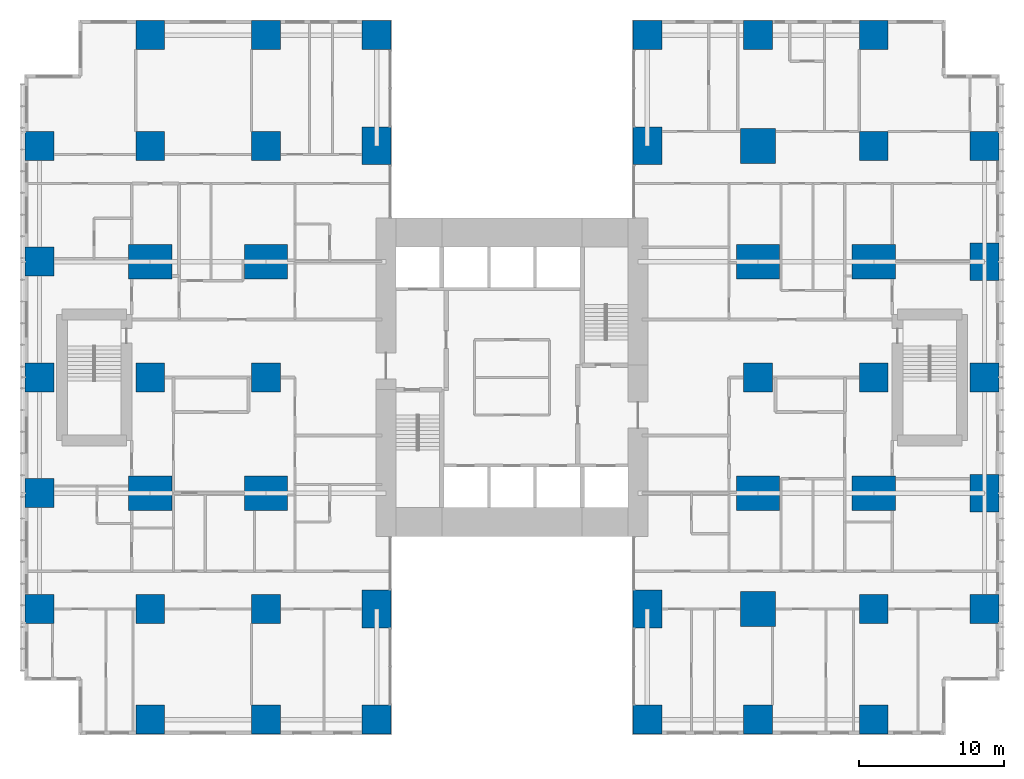
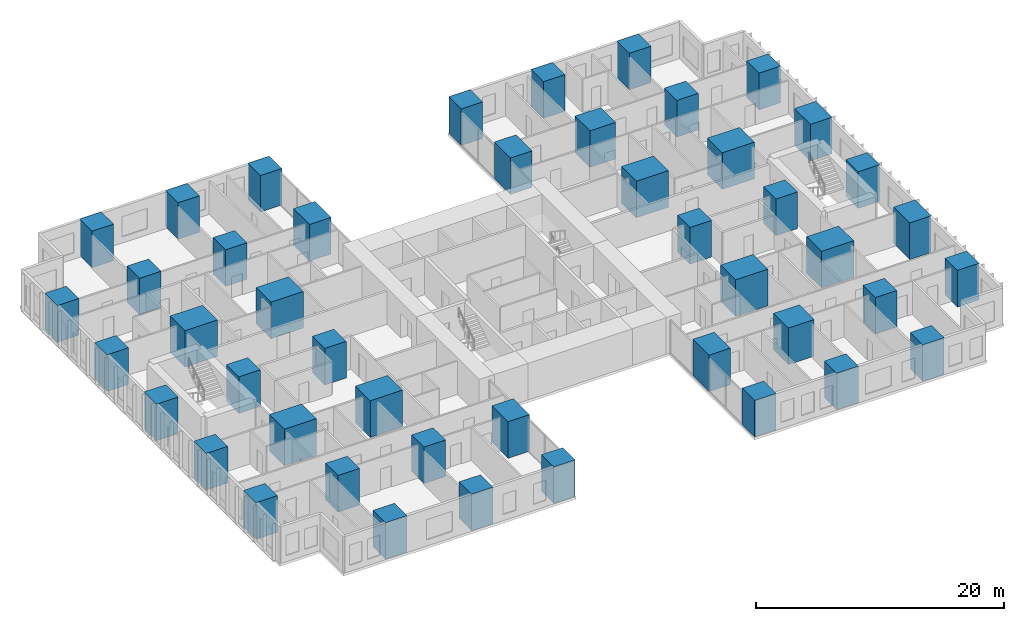
# One storey, part 1 of 20: 46 columns.
"""IFC4 building model written with IfcOpenShell, lengths in metres."""

from ifc_helpers import new_model, si_unit, direction, frame, origin, origin_2d, place, context, subcontext, project, spatial, rectangle, extrude, material, material_profile, profile_set, type_object, element, save


model = new_model("IFC4")

# Units and contexts
model_context = context("Model", 3, precision=1e-05, world=origin(), true_north=direction((0.0, 1.0)))
body_context = subcontext(model_context, "Body", "Model", "MODEL_VIEW")
ifc_project = project(units=[si_unit("LENGTHUNIT", "METRE"), si_unit("AREAUNIT", "SQUARE_METRE"), si_unit("VOLUMEUNIT", "CUBIC_METRE"), si_unit("PLANEANGLEUNIT", "RADIAN"), si_unit("MASSUNIT", "GRAM", prefix="KILO")], contexts=[model_context])

# Site, building, storey
site_placement = place(None, origin())
site = spatial("IfcSite", under=ifc_project, at=site_placement, CompositionType="ELEMENT")
building_placement = place(site_placement, origin())
building = spatial("IfcBuilding", under=site, at=building_placement, Name="Cleftline Residences", CompositionType="ELEMENT")
storey_placement = place(building_placement, frame((0.0, 0.0, 87.199951171875)))
storey = spatial("IfcBuildingStorey", under=building, at=storey_placement, Name="L22", CompositionType="ELEMENT", Elevation=87.199951171875)

# Columns
ifc_material_1 = material(Name="Concrete B70", Category="concrete")
ifc_material_profile_1 = material_profile(ifc_material_1, rectangle(XDim=2.0, YDim=2.0, at=origin_2d()))
ifc_profile_set_1 = profile_set([ifc_material_profile_1], Name="Concrete B70")
column_type_1 = type_object("IfcColumnType", Name="COLUMN RC2000X2000", PredefinedType="COLUMN", material=ifc_profile_set_1)
for number, where, z_axis, x_axis, name in (
    (1, (0.35009765625, 8.0, 0.0), (0.0, 0.0, 1.0), (1.0, 0.0, 0.0), "Column D/3"),
    (2, (0.35009765625, 16.0, 0.0), (0.0, 0.0, 1.0), (1.0, 0.0, 0.0), "Column E/3"),
    (3, (0.35009765625, 24.0, 0.0), (0.0, 0.0, 1.0), (1.0, 0.0, 0.0), "Column F/3"),
    (4, (0.35009765625, 32.0, 0.0), (0.0, 0.0, 1.0), (1.0, 0.0, 0.0), "Column G/3"),
    (5, (0.35009765625, 40.0, 0.0), (0.0, 0.0, 1.0), (1.0, 0.0, 0.0), "Column H/3"),
    (6, (8.0, 0.35009765625, 0.0), (0.0, 0.0, 1.0), (1.0, 0.0, 0.0), "Column C/4"),
    (7, (8.0, 8.0, 0.0), (0.0, 0.0, 1.0), (1.0, 0.0, 0.0), "Column D/4"),
    (8, (8.0, 24.0, 0.0), (0.0, 0.0, 1.0), (1.0, 0.0, 0.0), "Column F/4"),
    (9, (8.0, 40.0, 0.0), (0.0, 0.0, 1.0), (1.0, 0.0, 0.0), "Column H/4"),
    (10, (8.0, 47.64990234375, 0.0), (0.0, 0.0, 1.0), (1.0, 0.0, 0.0), "Column J/4"),
    (11, (16.0, 0.35009765625, 0.0), (0.0, 0.0, 1.0), (1.0, 0.0, 0.0), "Column C/5"),
    (12, (16.0, 8.0, 0.0), (0.0, 0.0, 1.0), (1.0, 0.0, 0.0), "Column D/5"),
    (13, (16.0, 24.0, 0.0), (0.0, 0.0, 1.0), (1.0, 0.0, 0.0), "Column F/5"),
    (14, (16.0, 40.0, 0.0), (0.0, 0.0, 1.0), (1.0, 0.0, 0.0), "Column H/5"),
    (15, (16.0, 47.64990234375, 0.0), (0.0, 0.0, 1.0), (1.0, 0.0, 0.0), "Column J/5"),
    (16, (23.64990234375, 0.35009765625, 0.0), (0.0, 0.0, 1.0), (1.0, 0.0, 0.0), "Column C/6"),
    (17, (23.64990234375, 47.64990234375, 0.0), (0.0, 0.0, 1.0), (1.0, 0.0, 0.0), "Column J/6"),
    (18, (42.35009765625, 0.35009765625, 0.0), (0.0, 0.0, 1.0), (1.0, 0.0, 0.0), "Column C/8"),
    (19, (42.35009765625, 47.64990234375, 0.0), (0.0, 0.0, 1.0), (1.0, 0.0, 0.0), "Column J/8"),
    (20, (50.0, 0.35009765625, 0.0), (0.0, 0.0, 1.0), (1.0, 0.0, 0.0), "Column C/9"),
    (21, (50.0, 24.0, 0.0), (0.0, 0.0, 1.0), (1.0, 0.0, 0.0), "Column F/9"),
    (22, (50.0, 47.64990234375, 0.0), (0.0, 0.0, 1.0), (1.0, 0.0, 0.0), "Column J/9"),
    (23, (58.0, 0.35009765625, 0.0), (0.0, 0.0, 1.0), (1.0, 0.0, 0.0), "Column C/10"),
    (24, (58.0, 8.0, 0.0), (0.0, 0.0, 1.0), (1.0, 0.0, 0.0), "Column D/10"),
    (25, (58.0, 24.0, 0.0), (0.0, 0.0, 1.0), (1.0, 0.0, 0.0), "Column F/10"),
    (26, (58.0, 40.0, 0.0), (0.0, 0.0, 1.0), (1.0, 0.0, 0.0), "Column H/10"),
    (27, (58.0, 47.64990234375, 0.0), (0.0, 0.0, 1.0), (1.0, 0.0, 0.0), "Column J/10"),
    (28, (65.64990234375, 8.0, 0.0), (0.0, 0.0, 1.0), (1.0, 0.0, 0.0), "Column D/11"),
    (29, (65.64990234375, 24.0, 0.0), (0.0, 0.0, 1.0), (1.0, 0.0, 0.0), "Column F/11"),
    (30, (65.64990234375, 40.0, 0.0), (0.0, 0.0, 1.0), (1.0, 0.0, 0.0), "Column H/11"),
):
    element("IfcColumn", number, at=place(storey_placement, frame(where, z_axis=z_axis, x_axis=x_axis)), inside=storey, type_object=column_type_1, Name=name, PredefinedType="COLUMN", context=body_context, shape_type="SweptSolid", body=[
        extrude(rectangle(XDim=2.0, YDim=2.0, at=origin_2d()), origin(), (0.0, 0.0, 1.0), 3.60009765625),
    ])
ifc_material_2 = material(Name="Concrete B70", Category="concrete")
ifc_material_profile_2 = material_profile(ifc_material_2, rectangle(XDim=2.0, YDim=2.60009765625, at=origin_2d()))
ifc_profile_set_2 = profile_set([ifc_material_profile_2], Name="Concrete B70")
column_type_2 = type_object("IfcColumnType", Name="COLUMN RC2000X2600", PredefinedType="COLUMN", material=ifc_profile_set_2)
for number, where, z_axis, x_axis, name in (
    (31, (23.64990234375, 8.0, 0.0), (0.0, 0.0, 1.0), (1.0, 0.0, 0.0), "Column D/6"),
    (32, (23.64990234375, 40.0, 0.0), (0.0, 0.0, 1.0), (1.0, 0.0, 0.0), "Column H/6"),
    (33, (42.35009765625, 8.0, 0.0), (0.0, 0.0, 1.0), (1.0, 0.0, 0.0), "Column D/8"),
    (34, (42.35009765625, 40.0, 0.0), (0.0, 0.0, 1.0), (1.0, 0.0, 0.0), "Column H/8"),
):
    element("IfcColumn", number, at=place(storey_placement, frame(where, z_axis=z_axis, x_axis=x_axis)), inside=storey, type_object=column_type_2, Name=name, PredefinedType="COLUMN", context=body_context, shape_type="SweptSolid", body=[
        extrude(rectangle(XDim=2.0, YDim=2.60009765625, at=origin_2d()), origin(), (0.0, 0.0, 1.0), 3.60009765625),
    ])
ifc_material_3 = material(Name="Concrete B70", Category="concrete")
ifc_material_profile_3 = material_profile(ifc_material_3, rectangle(XDim=2.39990234375, YDim=2.39990234375, at=origin_2d()))
ifc_profile_set_3 = profile_set([ifc_material_profile_3], Name="Concrete B70")
column_type_3 = type_object("IfcColumnType", Name="COLUMN RC2400X2400", PredefinedType="COLUMN", material=ifc_profile_set_3)
for number, where, z_axis, x_axis, name in (
    (35, (50.0, 8.0, 0.0), (0.0, 0.0, 1.0), (1.0, 0.0, 0.0), "Column D/9"),
    (36, (50.0, 40.0, 0.0), (0.0, 0.0, 1.0), (1.0, 0.0, 0.0), "Column H/9"),
):
    element("IfcColumn", number, at=place(storey_placement, frame(where, z_axis=z_axis, x_axis=x_axis)), inside=storey, type_object=column_type_3, Name=name, PredefinedType="COLUMN", context=body_context, shape_type="SweptSolid", body=[
        extrude(rectangle(XDim=2.39990234375, YDim=2.39990234375, at=origin_2d()), origin(), (0.0, 0.0, 1.0), 3.60009765625),
    ])
ifc_material_4 = material(Name="Concrete B70", Category="concrete")
ifc_material_profile_4 = material_profile(ifc_material_4, rectangle(XDim=2.60009765625, YDim=2.0, at=origin_2d()))
ifc_profile_set_4 = profile_set([ifc_material_profile_4], Name="Concrete B70")
column_type_4 = type_object("IfcColumnType", Name="COLUMN RC2600X2000", PredefinedType="COLUMN", material=ifc_profile_set_4)
for number, where, z_axis, x_axis, name in (
    (37, (65.64990234375, 16.0, 0.0), (0.0, 0.0, 1.0), (0.0, 1.0, 0.0), "Column E/11"),
    (38, (65.64990234375, 32.0, 0.0), (0.0, 0.0, 1.0), (0.0, 1.0, 0.0), "Column G/11"),
):
    element("IfcColumn", number, at=place(storey_placement, frame(where, z_axis=z_axis, x_axis=x_axis)), inside=storey, type_object=column_type_4, Name=name, PredefinedType="COLUMN", context=body_context, shape_type="SweptSolid", body=[
        extrude(rectangle(XDim=2.60009765625, YDim=2.0, at=origin_2d()), origin(), (0.0, 0.0, 1.0), 3.60009765625),
    ])
ifc_material_5 = material(Name="Concrete B70", Category="concrete")
ifc_material_profile_5 = material_profile(ifc_material_5, rectangle(XDim=3.0, YDim=2.39990234375, at=origin_2d()))
ifc_profile_set_5 = profile_set([ifc_material_profile_5], Name="Concrete B70")
column_type_5 = type_object("IfcColumnType", Name="COLUMN RC3000X2400", PredefinedType="COLUMN", material=ifc_profile_set_5)
for number, where, z_axis, x_axis, name in (
    (39, (8.0, 16.0, 0.0), (0.0, 0.0, 1.0), (1.0, 0.0, 0.0), "Column E/4"),
    (40, (8.0, 32.0, 0.0), (0.0, 0.0, 1.0), (1.0, 0.0, 0.0), "Column G/4"),
    (41, (16.0, 16.0, 0.0), (0.0, 0.0, 1.0), (1.0, 0.0, 0.0), "Column E/5"),
    (42, (16.0, 32.0, 0.0), (0.0, 0.0, 1.0), (1.0, 0.0, 0.0), "Column G/5"),
    (43, (50.0, 16.0, 0.0), (0.0, 0.0, 1.0), (1.0, 0.0, 0.0), "Column E/9"),
    (44, (50.0, 32.0, 0.0), (0.0, 0.0, 1.0), (1.0, 0.0, 0.0), "Column G/9"),
    (45, (58.0, 16.0, 0.0), (0.0, 0.0, 1.0), (1.0, 0.0, 0.0), "Column E/10"),
    (46, (58.0, 32.0, 0.0), (0.0, 0.0, 1.0), (1.0, 0.0, 0.0), "Column G/10"),
):
    element("IfcColumn", number, at=place(storey_placement, frame(where, z_axis=z_axis, x_axis=x_axis)), inside=storey, type_object=column_type_5, Name=name, PredefinedType="COLUMN", context=body_context, shape_type="SweptSolid", body=[
        extrude(rectangle(XDim=3.0, YDim=2.39990234375, at=origin_2d()), origin(), (0.0, 0.0, 1.0), 3.60009765625),
    ])

save(model, "model.ifc")
